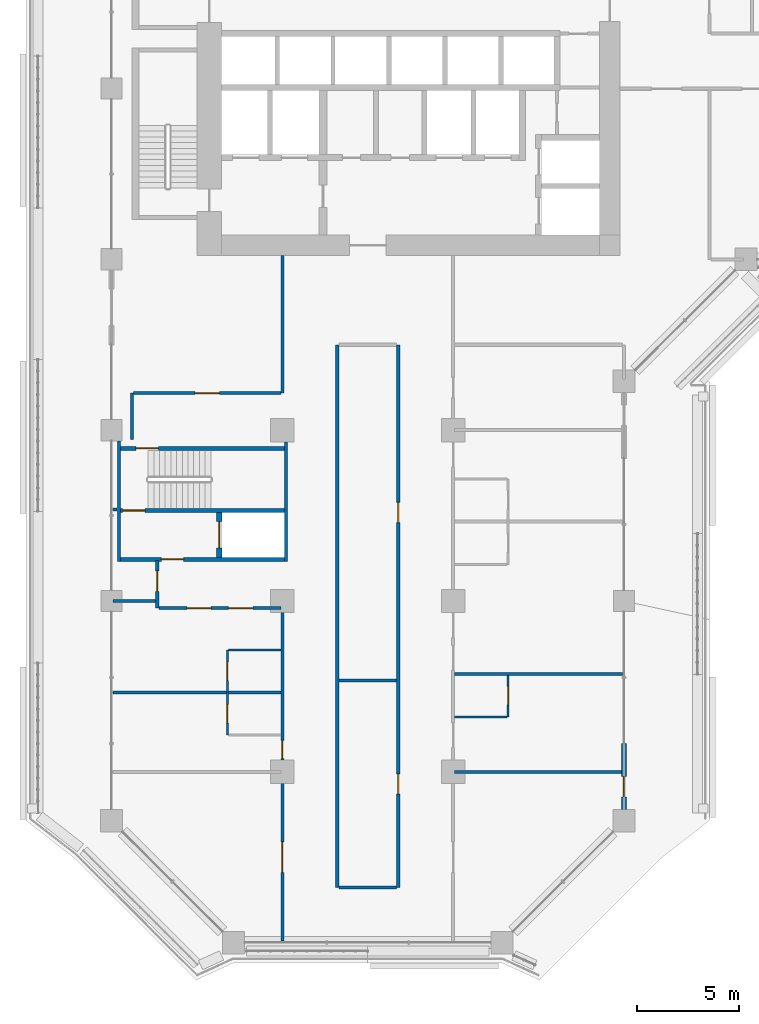
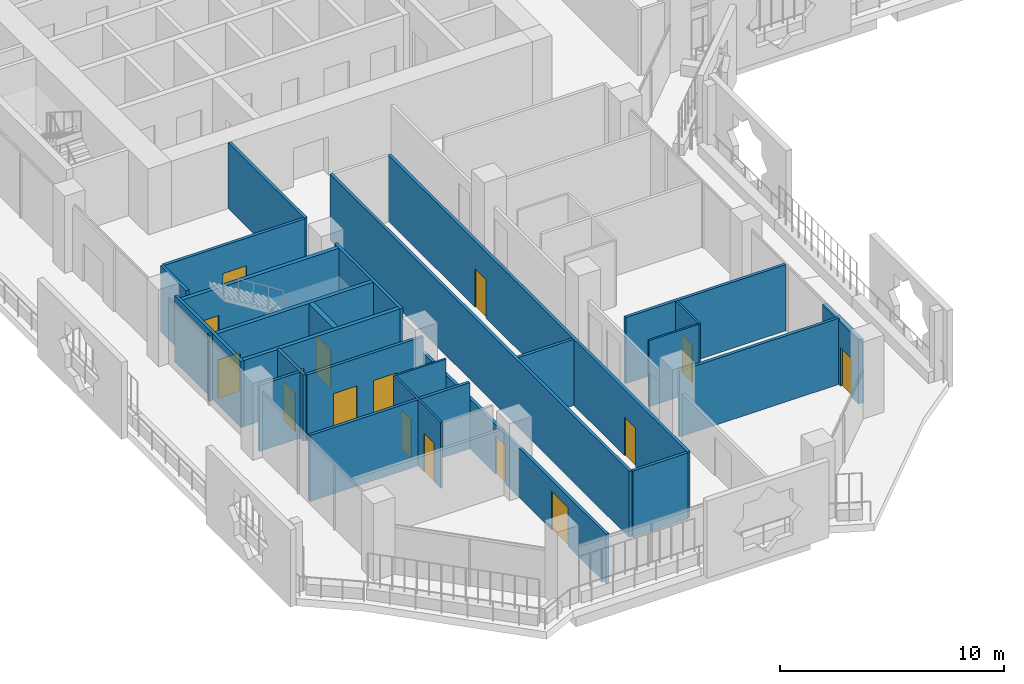
# One storey, part 12 of 25: 26 walls, 16 doors, 16 openings.
"""IFC4 building model written with IfcOpenShell, lengths in metres."""

from ifc_helpers import new_model, si_unit, direction, frame, frame_2d, origin, place, context, subcontext, project, spatial, rectangle, extrude, material, layer, layer_set, type_object, element, fill, save


model = new_model("IFC4")

# Units and contexts
model_context = context("Model", 3, precision=1e-05, world=origin(), true_north=direction((0.0, 1.0)))
body_context = subcontext(model_context, "Body", "Model", "MODEL_VIEW")
ifc_project = project(units=[si_unit("LENGTHUNIT", "METRE"), si_unit("AREAUNIT", "SQUARE_METRE"), si_unit("VOLUMEUNIT", "CUBIC_METRE"), si_unit("PLANEANGLEUNIT", "RADIAN"), si_unit("MASSUNIT", "GRAM", prefix="KILO")], contexts=[model_context])

# Site, building, storey
site_placement = place(None, origin())
site = spatial("IfcSite", under=ifc_project, at=site_placement, CompositionType="ELEMENT")
building_placement = place(site_placement, origin())
building = spatial("IfcBuilding", under=site, at=building_placement, Name="Kawkab Arch Medical Tower", CompositionType="ELEMENT")
storey_placement = place(building_placement, frame((0.0, 0.0, 132.39990234375)))
storey = spatial("IfcBuildingStorey", under=building, at=storey_placement, Name="L30", CompositionType="ELEMENT", Elevation=132.39990234375)

# Wall, opening, door
ifc_material_1 = material(Name="Concrete C60/75", Category="concrete")
ifc_layer_1 = layer(ifc_material_1, 0.25)
ifc_layer_set_1 = layer_set([ifc_layer_1], Name="Concrete C60/75")
wall_type_1 = type_object("IfcWallType", Name="Core shear wall 250 C60/75", PredefinedType="SHEAR", material=ifc_layer_set_1)
wall_1_placement = place(storey_placement, frame((5.300048828125, -39.85009765625, 0.0), z_axis=(0.0, 0.0, 1.0), x_axis=(0.0, 1.0, 0.0)))
wall_1 = element("IfcWall", 1, at=wall_1_placement, inside=storey, type_object=wall_type_1, Name="L30 core shear wall", PredefinedType="SHEAR", context=body_context, shape_type="SweptSolid", body=[
    extrude(rectangle(XDim=2.2001953125, YDim=0.25, at=frame_2d((1.10009765625, 0.0))), origin(), (0.0, 0.0, 1.0), 3.60009765625),
])
opening_1_placement = place(wall_1_placement, frame((0.449951171875, 0.0, 0.0)))
opening_1 = element("IfcOpeningElement", 2, at=opening_1_placement, cuts=wall_1, Name="Opening LD2", PredefinedType="OPENING", context=body_context, shape_type="SweptSolid", body=[
    extrude(rectangle(XDim=1.300048828125, YDim=2.10009765625, at=frame_2d((0.64990234375, 1.050048828125))), frame((0.0, 0.135009765625, 0.0), z_axis=(0.0, -1.0, 0.0), x_axis=(1.0, 0.0, 0.0)), (0.0, 0.0, 1.0), 0.27001953125),
])
ifc_material_2 = material(Name="Stainless steel lift door leaf", Category="steel")
door_type_1 = type_object("IfcDoorType", Name="Lift landing door 1300", OperationType="DOUBLE_DOOR_SLIDING", PredefinedType="DOOR", material=ifc_material_2)
door_1_placement = place(opening_1_placement, origin())
door_1 = element("IfcDoor", 3, at=door_1_placement, inside=storey, type_object=door_type_1, Name="L30 Lift landing door SV2", OperationType="DOUBLE_DOOR_SLIDING", OverallHeight=2.10009765625, OverallWidth=1.300048828125, PredefinedType="DOOR", context=body_context, shape_type="SweptSolid", body=[
    extrude(rectangle(XDim=1.300048828125, YDim=2.10009765625, at=frame_2d((0.64990234375, 1.050048828125))), frame((0.0, 0.02490234375, 0.0), z_axis=(0.0, -1.0, 0.0), x_axis=(1.0, 0.0, 0.0)), (0.0, 0.0, 1.0), 0.050048828125),
])
fill(opening_1, door_1)

ifc_material_3 = material(Name="Bronze clad insulated wall panel")
ifc_layer_2 = layer(ifc_material_3, 0.25)
ifc_layer_set_2 = layer_set([ifc_layer_2], Name="Bronze clad insulated wall panel")
wall_type_2 = type_object("IfcWallType", Name="External wall bay 250", PredefinedType="SOLIDWALL", material=ifc_layer_set_2)
wall_2_placement = place(storey_placement, frame((25.199951171875, -52.25, 0.0), z_axis=(0.0, 0.0, 1.0), x_axis=(0.0, 1.0, 0.0)))
wall_2 = element("IfcWall", 4, at=wall_2_placement, inside=storey, type_object=wall_type_2, Name="External wall bay L30.R05.1.1", PredefinedType="SOLIDWALL", context=body_context, shape_type="SweptSolid", body=[
    extrude(rectangle(XDim=3.24169921875, YDim=0.25, at=frame_2d((1.620849609375, 0.0))), origin(), (0.0, 0.0, 1.0), 3.47998046875),
])
opening_2_placement = place(wall_2_placement, frame((0.620849609375, 0.0, 0.0)))
opening_2 = element("IfcOpeningElement", 5, at=opening_2_placement, cuts=wall_2, Name="Opening W25-702", PredefinedType="OPENING", context=body_context, shape_type="SweptSolid", body=[
    extrude(rectangle(XDim=1.0, YDim=2.10009765625, at=frame_2d((0.5, 1.050048828125))), frame((0.0, 0.135009765625, 0.0), z_axis=(0.0, -1.0, 0.0), x_axis=(1.0, 0.0, 0.0)), (0.0, 0.0, 1.0), 0.27001953125),
])
ifc_material_4 = material(Name="Bronze anodised aluminium door with tinted glass", Category="aluminium")
door_type_2 = type_object("IfcDoorType", Name="Single external door 1000 x 2100", OperationType="SINGLE_SWING_LEFT", PredefinedType="DOOR", material=ifc_material_4)
door_2_placement = place(opening_2_placement, origin())
door_2 = element("IfcDoor", 6, at=door_2_placement, inside=storey, type_object=door_type_2, Name="External door L30.R05.1.1", OperationType="SINGLE_SWING_LEFT", OverallHeight=2.10009765625, OverallWidth=1.0, PredefinedType="DOOR", context=body_context, shape_type="SweptSolid", body=[
    extrude(rectangle(XDim=1.0, YDim=2.10009765625, at=frame_2d((0.5, 1.050048828125))), frame((0.0, 0.02490234375, 0.0), z_axis=(0.0, -1.0, 0.0), x_axis=(1.0, 0.0, 0.0)), (0.0, 0.0, 1.0), 0.050048828125),
])
fill(opening_2, door_2)

# Walls
ifc_material_5 = material(Name="Gypsum board partition on steel studs", Category="steel")
ifc_layer_3 = layer(ifc_material_5, 0.10009765625)
ifc_layer_set_3 = layer_set([ifc_layer_3], Name="Gypsum board partition on steel studs")
wall_type_3 = type_object("IfcWallType", Name="Partition 100", PredefinedType="PARTITIONING", material=ifc_layer_set_3)
for number, where, z_axis, x_axis, name in (
    (7, (16.875, -47.699951171875, 0.0), (0.0, 0.0, 1.0), (1.0, 0.0, 0.0), "Partition 100 w002"),
    (8, (5.75, -44.39990234375, 0.0), (0.0, 0.0, 1.0), (1.0, 0.0, 0.0), "Partition 100 w003"),
):
    element("IfcWall", number, at=place(storey_placement, frame(where, z_axis=z_axis, x_axis=x_axis)), inside=storey, type_object=wall_type_3, Name=name, PredefinedType="PARTITIONING", context=body_context, shape_type="SweptSolid", body=[
        extrude(rectangle(XDim=2.574951171875, YDim=0.10009765625, at=frame_2d((1.28759765625, 0.0))), origin(), (0.0, 0.0, 1.0), 3.60009765625),
    ])

# Wall, openings, doors
wall_3_placement = place(storey_placement, frame((5.699951171875, -48.60009765625, 0.0), z_axis=(0.0, 0.0, 1.0), x_axis=(0.0, 1.0, 0.0)))
wall_3 = element("IfcWall", 9, at=wall_3_placement, inside=storey, type_object=wall_type_3, Name="Partition 100 w015", PredefinedType="PARTITIONING", context=body_context, shape_type="SweptSolid", body=[
    extrude(rectangle(XDim=4.2001953125, YDim=0.10009765625, at=frame_2d((2.10009765625, 0.0))), origin(), (0.0, 0.0, 1.0), 3.60009765625),
])
opening_3_placement = place(wall_3_placement, frame((2.699951171875, 0.0, 0.0)))
opening_3 = element("IfcOpeningElement", 10, at=opening_3_placement, cuts=wall_3, Name="Opening W25-016", PredefinedType="OPENING", context=body_context, shape_type="SweptSolid", body=[
    extrude(rectangle(XDim=0.89990234375, YDim=2.10009765625, at=frame_2d((0.449951171875, 1.050048828125))), frame((0.0, 0.06005859375, 0.0), z_axis=(0.0, -1.0, 0.0), x_axis=(1.0, 0.0, 0.0)), (0.0, 0.0, 1.0), 0.1201171875),
])
opening_4_placement = place(wall_3_placement, frame((0.60009765625, 0.0, 0.0)))
opening_4 = element("IfcOpeningElement", 11, at=opening_4_placement, cuts=wall_3, Name="Opening W25-017", PredefinedType="OPENING", context=body_context, shape_type="SweptSolid", body=[
    extrude(rectangle(XDim=0.89990234375, YDim=2.10009765625, at=frame_2d((0.449951171875, 1.050048828125))), frame((0.0, 0.06005859375, 0.0), z_axis=(0.0, -1.0, 0.0), x_axis=(1.0, 0.0, 0.0)), (0.0, 0.0, 1.0), 0.1201171875),
])
ifc_material_6 = material(Name="Timber door leaf", Category="wood")
door_type_3 = type_object("IfcDoorType", Name="Single door 900x2100", OperationType="NOTDEFINED", PredefinedType="DOOR", material=ifc_material_6)
door_3_placement = place(opening_3_placement, origin())
door_3 = element("IfcDoor", 12, at=door_3_placement, inside=storey, type_object=door_type_3, Name="Door W25-016", OperationType="SINGLE_SWING_RIGHT", OverallHeight=2.10009765625, OverallWidth=0.89990234375, PredefinedType="DOOR", context=body_context, shape_type="SweptSolid", body=[
    extrude(rectangle(XDim=0.89990234375, YDim=2.10009765625, at=frame_2d((0.449951171875, 1.050048828125))), frame((0.0, 0.02490234375, 0.0), z_axis=(0.0, -1.0, 0.0), x_axis=(1.0, 0.0, 0.0)), (0.0, 0.0, 1.0), 0.050048828125),
])
fill(opening_3, door_3)
door_4_placement = place(opening_4_placement, origin())
door_4 = element("IfcDoor", 13, at=door_4_placement, inside=storey, type_object=door_type_3, Name="Door W25-017", OperationType="SINGLE_SWING_LEFT", OverallHeight=2.10009765625, OverallWidth=0.89990234375, PredefinedType="DOOR", context=body_context, shape_type="SweptSolid", body=[
    extrude(rectangle(XDim=0.89990234375, YDim=2.10009765625, at=frame_2d((0.449951171875, 1.050048828125))), frame((0.0, 0.02490234375, 0.0), z_axis=(0.0, -1.0, 0.0), x_axis=(1.0, 0.0, 0.0)), (0.0, 0.0, 1.0), 0.050048828125),
])
fill(opening_4, door_4)

# Wall, opening, door
wall_4_placement = place(storey_placement, frame((19.5, -47.699951171875, 0.0), z_axis=(0.0, 0.0, 1.0), x_axis=(0.0, 1.0, 0.0)))
wall_4 = element("IfcWall", 14, at=wall_4_placement, inside=storey, type_object=wall_type_3, Name="Partition 100 w016", PredefinedType="PARTITIONING", context=body_context, shape_type="SweptSolid", body=[
    extrude(rectangle(XDim=2.02490234375, YDim=0.10009765625, at=frame_2d((1.012451171875, 0.0))), origin(), (0.0, 0.0, 1.0), 3.60009765625),
])
opening_5_placement = place(wall_4_placement, frame((0.60009765625, 0.0, 0.0)))
opening_5 = element("IfcOpeningElement", 15, at=opening_5_placement, cuts=wall_4, Name="Opening W25-020", PredefinedType="OPENING", context=body_context, shape_type="SweptSolid", body=[
    extrude(rectangle(XDim=0.89990234375, YDim=2.10009765625, at=frame_2d((0.449951171875, 1.050048828125))), frame((0.0, 0.06005859375, 0.0), z_axis=(0.0, -1.0, 0.0), x_axis=(1.0, 0.0, 0.0)), (0.0, 0.0, 1.0), 0.1201171875),
])
door_5_placement = place(opening_5_placement, origin())
door_5 = element("IfcDoor", 16, at=door_5_placement, inside=storey, type_object=door_type_3, Name="Door W25-020", OperationType="SINGLE_SWING_LEFT", OverallHeight=2.10009765625, OverallWidth=0.89990234375, PredefinedType="DOOR", context=body_context, shape_type="SweptSolid", body=[
    extrude(rectangle(XDim=0.89990234375, YDim=2.10009765625, at=frame_2d((0.449951171875, 1.050048828125))), frame((0.0, 0.02490234375, 0.0), z_axis=(0.0, -1.0, 0.0), x_axis=(1.0, 0.0, 0.0)), (0.0, 0.0, 1.0), 0.050048828125),
])
fill(opening_5, door_5)

# Walls
ifc_material_7 = material(Name="Gypsum board partition on steel studs, mineral wool", Category="steel")
ifc_layer_4 = layer(ifc_material_7, 0.14990234375)
ifc_layer_set_4 = layer_set([ifc_layer_4], Name="Gypsum board partition on steel studs, mineral wool")
wall_type_4 = type_object("IfcWallType", Name="Partition 150", PredefinedType="PARTITIONING", material=ifc_layer_set_4)
wall_5_placement = place(storey_placement, frame((11.175048828125, -56.10009765625, 0.0), z_axis=(0.0, 0.0, 1.0), x_axis=(1.0, 0.0, 0.0)))
element("IfcWall", 17, at=wall_5_placement, inside=storey, type_object=wall_type_4, Name="Partition 150 w028", PredefinedType="PARTITIONING", context=body_context, shape_type="SweptSolid", body=[
    extrude(rectangle(XDim=2.849853515625, YDim=0.14990234375, at=frame_2d((1.4248046875, 0.0))), origin(), (0.0, 0.0, 1.0), 3.60009765625),
])
wall_6_placement = place(storey_placement, frame((16.875, -50.39990234375, 0.0), z_axis=(0.0, 0.0, 1.0), x_axis=(1.0, 0.0, 0.0)))
element("IfcWall", 18, at=wall_6_placement, inside=storey, type_object=wall_type_4, Name="Partition 150 w030", PredefinedType="PARTITIONING", context=body_context, shape_type="SweptSolid", body=[
    extrude(rectangle(XDim=8.2451171875, YDim=0.14990234375, at=frame_2d((4.12255859375, 0.0))), origin(), (0.0, 0.0, 1.0), 3.60009765625),
])
wall_7_placement = place(storey_placement, frame((0.080078125, -46.5, 0.0), z_axis=(0.0, 0.0, 1.0), x_axis=(1.0, 0.0, 0.0)))
element("IfcWall", 19, at=wall_7_placement, inside=storey, type_object=wall_type_4, Name="Partition 150 w031", PredefinedType="PARTITIONING", context=body_context, shape_type="SweptSolid", body=[
    extrude(rectangle(XDim=8.244873046875, YDim=0.14990234375, at=frame_2d((4.12255859375, 0.0))), origin(), (0.0, 0.0, 1.0), 3.60009765625),
])
wall_8_placement = place(storey_placement, frame((11.175048828125, -45.89990234375, 0.0), z_axis=(0.0, 0.0, 1.0), x_axis=(1.0, 0.0, 0.0)))
element("IfcWall", 20, at=wall_8_placement, inside=storey, type_object=wall_type_4, Name="Partition 150 w032", PredefinedType="PARTITIONING", context=body_context, shape_type="SweptSolid", body=[
    extrude(rectangle(XDim=2.849853515625, YDim=0.14990234375, at=frame_2d((1.4248046875, 0.0))), origin(), (0.0, 0.0, 1.0), 3.60009765625),
])
wall_9_placement = place(storey_placement, frame((16.875, -45.60009765625, 0.0), z_axis=(0.0, 0.0, 1.0), x_axis=(1.0, 0.0, 0.0)))
element("IfcWall", 21, at=wall_9_placement, inside=storey, type_object=wall_type_4, Name="Partition 150 w033", PredefinedType="PARTITIONING", context=body_context, shape_type="SweptSolid", body=[
    extrude(rectangle(XDim=8.2451171875, YDim=0.14990234375, at=frame_2d((4.12255859375, 0.0))), origin(), (0.0, 0.0, 1.0), 3.60009765625),
])

# Wall, openings, doors
wall_10_placement = place(storey_placement, frame((2.324951171875, -42.35009765625, 0.0), z_axis=(0.0, 0.0, 1.0), x_axis=(1.0, 0.0, 0.0)))
wall_10 = element("IfcWall", 22, at=wall_10_placement, inside=storey, type_object=wall_type_4, Name="Partition 150 w034", PredefinedType="PARTITIONING", context=body_context, shape_type="SweptSolid", body=[
    extrude(rectangle(XDim=6.0, YDim=0.14990234375, at=frame_2d((3.0, 0.0))), origin(), (0.0, 0.0, 1.0), 3.60009765625),
])
opening_6_placement = place(wall_10_placement, frame((3.425048828125, 0.0, 0.0)))
opening_6 = element("IfcOpeningElement", 23, at=opening_6_placement, cuts=wall_10, Name="Opening W25-052", PredefinedType="OPENING", context=body_context, shape_type="SweptSolid", body=[
    extrude(rectangle(XDim=1.199951171875, YDim=2.10009765625, at=frame_2d((0.60009765625, 1.050048828125))), frame((0.0, 0.0849609375, 0.0), z_axis=(0.0, -1.0, 0.0), x_axis=(1.0, 0.0, 0.0)), (0.0, 0.0, 1.0), 0.169921875),
])
opening_7_placement = place(wall_10_placement, frame((1.375, 0.0, 0.0)))
opening_7 = element("IfcOpeningElement", 24, at=opening_7_placement, cuts=wall_10, Name="Opening W25-053", PredefinedType="OPENING", context=body_context, shape_type="SweptSolid", body=[
    extrude(rectangle(XDim=1.199951171875, YDim=2.10009765625, at=frame_2d((0.60009765625, 1.050048828125))), frame((0.0, 0.0849609375, 0.0), z_axis=(0.0, -1.0, 0.0), x_axis=(1.0, 0.0, 0.0)), (0.0, 0.0, 1.0), 0.169921875),
])
ifc_material_8 = material(Name="Hollow metal door leaf")
door_type_4 = type_object("IfcDoorType", Name="Single door 1200x2100 FD30S", OperationType="NOTDEFINED", PredefinedType="DOOR", material=ifc_material_8)
door_6_placement = place(opening_6_placement, origin())
door_6 = element("IfcDoor", 25, at=door_6_placement, inside=storey, type_object=door_type_4, Name="Door W25-052", OperationType="SINGLE_SWING_LEFT", OverallHeight=2.10009765625, OverallWidth=1.199951171875, PredefinedType="DOOR", context=body_context, shape_type="SweptSolid", body=[
    extrude(rectangle(XDim=1.199951171875, YDim=2.10009765625, at=frame_2d((0.60009765625, 1.050048828125))), frame((0.0, 0.02490234375, 0.0), z_axis=(0.0, -1.0, 0.0), x_axis=(1.0, 0.0, 0.0)), (0.0, 0.0, 1.0), 0.050048828125),
])
fill(opening_6, door_6)
door_7_placement = place(opening_7_placement, origin())
door_7 = element("IfcDoor", 26, at=door_7_placement, inside=storey, type_object=door_type_4, Name="Door W25-053", OperationType="SINGLE_SWING_RIGHT", OverallHeight=2.10009765625, OverallWidth=1.199951171875, PredefinedType="DOOR", context=body_context, shape_type="SweptSolid", body=[
    extrude(rectangle(XDim=1.199951171875, YDim=2.10009765625, at=frame_2d((0.60009765625, 1.050048828125))), frame((0.0, 0.02490234375, 0.0), z_axis=(0.0, -1.0, 0.0), x_axis=(1.0, 0.0, 0.0)), (0.0, 0.0, 1.0), 0.050048828125),
])
fill(opening_7, door_7)

# Walls
wall_11_placement = place(storey_placement, frame((0.080078125, -42.0, 0.0), z_axis=(0.0, 0.0, 1.0), x_axis=(1.0, 0.0, 0.0)))
element("IfcWall", 27, at=wall_11_placement, inside=storey, type_object=wall_type_4, Name="Partition 150 w035", PredefinedType="PARTITIONING", context=body_context, shape_type="SweptSolid", body=[
    extrude(rectangle(XDim=2.094970703125, YDim=0.14990234375, at=frame_2d((1.04736328125, 0.0))), origin(), (0.0, 0.0, 1.0), 3.60009765625),
])
wall_12_placement = place(storey_placement, frame((0.080078125, -37.5, 0.0), z_axis=(0.0, 0.0, 1.0), x_axis=(1.0, 0.0, 0.0)))
element("IfcWall", 28, at=wall_12_placement, inside=storey, type_object=wall_type_4, Name="Partition 150 w037", PredefinedType="PARTITIONING", context=body_context, shape_type="SweptSolid", body=[
    extrude(rectangle(XDim=0.18994140625, YDim=0.14990234375, at=frame_2d((0.094970703125, 0.0))), origin(), (0.0, 0.0, 1.0), 3.60009765625),
])

# Wall, opening, door
wall_13_placement = place(storey_placement, frame((1.075927734375, -31.781982421875, 0.0), z_axis=(0.0, 0.0, 1.0), x_axis=(1.0, 0.0, 0.0)))
wall_13 = element("IfcWall", 29, at=wall_13_placement, inside=storey, type_object=wall_type_4, Name="Partition 150 w039", PredefinedType="PARTITIONING", context=body_context, shape_type="SweptSolid", body=[
    extrude(rectangle(XDim=7.2490234375, YDim=0.14990234375, at=frame_2d((3.62451171875, 0.0))), origin(), (0.0, 0.0, 1.0), 3.60009765625),
])
opening_8_placement = place(wall_13_placement, frame((3.02490234375, 0.0, 0.0)))
opening_8 = element("IfcOpeningElement", 30, at=opening_8_placement, cuts=wall_13, Name="Opening W25-051", PredefinedType="OPENING", context=body_context, shape_type="SweptSolid", body=[
    extrude(rectangle(XDim=1.199951171875, YDim=2.10009765625, at=frame_2d((0.60009765625, 1.050048828125))), frame((0.0, 0.0849609375, 0.0), z_axis=(0.0, -1.0, 0.0), x_axis=(1.0, 0.0, 0.0)), (0.0, 0.0, 1.0), 0.169921875),
])
door_8_placement = place(opening_8_placement, origin())
door_8 = element("IfcDoor", 31, at=door_8_placement, inside=storey, type_object=door_type_4, Name="Door W25-051", OperationType="SINGLE_SWING_LEFT", OverallHeight=2.10009765625, OverallWidth=1.199951171875, PredefinedType="DOOR", context=body_context, shape_type="SweptSolid", body=[
    extrude(rectangle(XDim=1.199951171875, YDim=2.10009765625, at=frame_2d((0.60009765625, 1.050048828125))), frame((0.0, 0.02490234375, 0.0), z_axis=(0.0, -1.0, 0.0), x_axis=(1.0, 0.0, 0.0)), (0.0, 0.0, 1.0), 0.050048828125),
])
fill(opening_8, door_8)

# Wall
wall_14_placement = place(storey_placement, frame((1.0, -34.048095703125, 0.0), z_axis=(0.0, 0.0, 1.0), x_axis=(0.0, 1.0, 0.0)))
element("IfcWall", 32, at=wall_14_placement, inside=storey, type_object=wall_type_4, Name="Partition 150 w054", PredefinedType="PARTITIONING", context=body_context, shape_type="SweptSolid", body=[
    extrude(rectangle(XDim=2.26416015625, YDim=0.14990234375, at=frame_2d((1.132080078125, 0.0))), origin(), (0.0, 0.0, 1.0), 3.60009765625),
])

# Wall, opening, door
wall_15_placement = place(storey_placement, frame((2.25, -42.35009765625, 0.0), z_axis=(0.0, 0.0, 1.0), x_axis=(0.0, 1.0, 0.0)))
wall_15 = element("IfcWall", 33, at=wall_15_placement, inside=storey, type_object=wall_type_4, Name="Partition 150 w055", PredefinedType="PARTITIONING", context=body_context, shape_type="SweptSolid", body=[
    extrude(rectangle(XDim=2.35009765625, YDim=0.14990234375, at=frame_2d((1.175048828125, 0.0))), origin(), (0.0, 0.0, 1.0), 3.60009765625),
])
opening_9_placement = place(wall_15_placement, frame((0.824951171875, 0.0, 0.0)))
opening_9 = element("IfcOpeningElement", 34, at=opening_9_placement, cuts=wall_15, Name="Opening W25-033", PredefinedType="OPENING", context=body_context, shape_type="SweptSolid", body=[
    extrude(rectangle(XDim=1.0, YDim=2.10009765625, at=frame_2d((0.5, 1.050048828125))), frame((0.0, 0.0849609375, 0.0), z_axis=(0.0, -1.0, 0.0), x_axis=(1.0, 0.0, 0.0)), (0.0, 0.0, 1.0), 0.169921875),
])
ifc_material_9 = material(Name="Hollow metal door leaf")
door_type_5 = type_object("IfcDoorType", Name="Single door 1000x2100 FD30S", OperationType="NOTDEFINED", PredefinedType="DOOR", material=ifc_material_9)
door_9_placement = place(opening_9_placement, origin())
door_9 = element("IfcDoor", 35, at=door_9_placement, inside=storey, type_object=door_type_5, Name="Door W25-033", OperationType="SINGLE_SWING_RIGHT", OverallHeight=2.10009765625, OverallWidth=1.0, PredefinedType="DOOR", context=body_context, shape_type="SweptSolid", body=[
    extrude(rectangle(XDim=1.0, YDim=2.10009765625, at=frame_2d((0.5, 1.050048828125))), frame((0.0, 0.02490234375, 0.0), z_axis=(0.0, -1.0, 0.0), x_axis=(1.0, 0.0, 0.0)), (0.0, 0.0, 1.0), 0.050048828125),
])
fill(opening_9, door_9)

# Wall, openings, doors
wall_16_placement = place(storey_placement, frame((8.39990234375, -58.719970703125, 0.0), z_axis=(0.0, 0.0, 1.0), x_axis=(0.0, 1.0, 0.0)))
wall_16 = element("IfcWall", 36, at=wall_16_placement, inside=storey, type_object=wall_type_4, Name="Partition 150 w056", PredefinedType="PARTITIONING", context=body_context, shape_type="SweptSolid", body=[
    extrude(rectangle(XDim=16.369873046875, YDim=0.14990234375, at=frame_2d((8.18505859375, 0.0))), origin(), (0.0, 0.0, 1.0), 2.7001953125),
])
opening_10_placement = place(wall_16_placement, frame((8.969970703125, 0.0, 0.0)))
opening_10 = element("IfcOpeningElement", 37, at=opening_10_placement, cuts=wall_16, Name="Opening W25-022", PredefinedType="OPENING", context=body_context, shape_type="SweptSolid", body=[
    extrude(rectangle(XDim=0.89990234375, YDim=2.10009765625, at=frame_2d((0.449951171875, 1.050048828125))), frame((0.0, 0.0849609375, 0.0), z_axis=(0.0, -1.0, 0.0), x_axis=(1.0, 0.0, 0.0)), (0.0, 0.0, 1.0), 0.169921875),
])
opening_11_placement = place(wall_16_placement, frame((3.3701171875, 0.0, 0.0)))
opening_11 = element("IfcOpeningElement", 38, at=opening_11_placement, cuts=wall_16, Name="Opening W25-003", PredefinedType="OPENING", context=body_context, shape_type="SweptSolid", body=[
    extrude(rectangle(XDim=1.5, YDim=2.10009765625, at=frame_2d((0.75, 1.050048828125))), frame((0.0, 0.0849609375, 0.0), z_axis=(0.0, -1.0, 0.0), x_axis=(1.0, 0.0, 0.0)), (0.0, 0.0, 1.0), 0.169921875),
])
ifc_material_10 = material(Name="Hollow metal door leaf")
door_type_6 = type_object("IfcDoorType", Name="Double door 1500x2100 FD30S", OperationType="NOTDEFINED", PredefinedType="DOOR", material=ifc_material_10)
door_10_placement = place(opening_11_placement, origin())
door_10 = element("IfcDoor", 39, at=door_10_placement, inside=storey, type_object=door_type_6, Name="Door W25-003", OperationType="DOUBLE_DOOR_SINGLE_SWING", OverallHeight=2.10009765625, OverallWidth=1.5, PredefinedType="DOOR", context=body_context, shape_type="SweptSolid", body=[
    extrude(rectangle(XDim=1.5, YDim=2.10009765625, at=frame_2d((0.75, 1.050048828125))), frame((0.0, 0.02490234375, 0.0), z_axis=(0.0, -1.0, 0.0), x_axis=(1.0, 0.0, 0.0)), (0.0, 0.0, 1.0), 0.050048828125),
])
fill(opening_11, door_10)
ifc_material_11 = material(Name="Hollow metal door leaf")
door_type_7 = type_object("IfcDoorType", Name="Single door 900x2100 FD30S", OperationType="NOTDEFINED", PredefinedType="DOOR", material=ifc_material_11)
door_11_placement = place(opening_10_placement, origin())
door_11 = element("IfcDoor", 40, at=door_11_placement, inside=storey, type_object=door_type_7, Name="Door W25-022", OperationType="SINGLE_SWING_RIGHT", OverallHeight=2.10009765625, OverallWidth=0.89990234375, PredefinedType="DOOR", context=body_context, shape_type="SweptSolid", body=[
    extrude(rectangle(XDim=0.89990234375, YDim=2.10009765625, at=frame_2d((0.449951171875, 1.050048828125))), frame((0.0, 0.02490234375, 0.0), z_axis=(0.0, -1.0, 0.0), x_axis=(1.0, 0.0, 0.0)), (0.0, 0.0, 1.0), 0.050048828125),
])
fill(opening_10, door_11)

# Walls
wall_17_placement = place(storey_placement, frame((8.39990234375, -31.781982421875, 0.0), z_axis=(0.0, 0.0, 1.0), x_axis=(0.0, 1.0, 0.0)))
element("IfcWall", 41, at=wall_17_placement, inside=storey, type_object=wall_type_4, Name="Partition 150 w057", PredefinedType="PARTITIONING", context=body_context, shape_type="SweptSolid", body=[
    extrude(rectangle(XDim=6.781982421875, YDim=0.14990234375, at=frame_2d((3.39111328125, 0.0))), origin(), (0.0, 0.0, 1.0), 3.60009765625),
])
wall_18_placement = place(storey_placement, frame((11.10009765625, -56.10009765625, 0.0), z_axis=(0.0, 0.0, 1.0), x_axis=(0.0, 1.0, 0.0)))
element("IfcWall", 42, at=wall_18_placement, inside=storey, type_object=wall_type_4, Name="Partition 150 w058", PredefinedType="PARTITIONING", context=body_context, shape_type="SweptSolid", body=[
    extrude(rectangle(XDim=26.7001953125, YDim=0.14990234375, at=frame_2d((13.35009765625, 0.0))), origin(), (0.0, 0.0, 1.0), 3.60009765625),
])

# Wall, openings, doors
wall_19_placement = place(storey_placement, frame((14.10009765625, -56.10009765625, 0.0), z_axis=(0.0, 0.0, 1.0), x_axis=(0.0, 1.0, 0.0)))
wall_19 = element("IfcWall", 43, at=wall_19_placement, inside=storey, type_object=wall_type_4, Name="Partition 150 w059", PredefinedType="PARTITIONING", context=body_context, shape_type="SweptSolid", body=[
    extrude(rectangle(XDim=26.7001953125, YDim=0.14990234375, at=frame_2d((13.35009765625, 0.0))), origin(), (0.0, 0.0, 1.0), 3.60009765625),
])
opening_12_placement = place(wall_19_placement, frame((17.949951171875, 0.0, 0.0)))
opening_12 = element("IfcOpeningElement", 44, at=opening_12_placement, cuts=wall_19, Name="Opening W25-034", PredefinedType="OPENING", context=body_context, shape_type="SweptSolid", body=[
    extrude(rectangle(XDim=1.0, YDim=2.10009765625, at=frame_2d((0.5, 1.050048828125))), frame((0.0, 0.0849609375, 0.0), z_axis=(0.0, -1.0, 0.0), x_axis=(1.0, 0.0, 0.0)), (0.0, 0.0, 1.0), 0.169921875),
])
opening_13_placement = place(wall_19_placement, frame((4.60009765625, 0.0, 0.0)))
opening_13 = element("IfcOpeningElement", 45, at=opening_13_placement, cuts=wall_19, Name="Opening W25-035", PredefinedType="OPENING", context=body_context, shape_type="SweptSolid", body=[
    extrude(rectangle(XDim=1.0, YDim=2.10009765625, at=frame_2d((0.5, 1.050048828125))), frame((0.0, 0.0849609375, 0.0), z_axis=(0.0, -1.0, 0.0), x_axis=(1.0, 0.0, 0.0)), (0.0, 0.0, 1.0), 0.169921875),
])
door_12_placement = place(opening_12_placement, origin())
door_12 = element("IfcDoor", 46, at=door_12_placement, inside=storey, type_object=door_type_5, Name="Door W25-034", OperationType="SINGLE_SWING_RIGHT", OverallHeight=2.10009765625, OverallWidth=1.0, PredefinedType="DOOR", context=body_context, shape_type="SweptSolid", body=[
    extrude(rectangle(XDim=1.0, YDim=2.10009765625, at=frame_2d((0.5, 1.050048828125))), frame((0.0, 0.02490234375, 0.0), z_axis=(0.0, -1.0, 0.0), x_axis=(1.0, 0.0, 0.0)), (0.0, 0.0, 1.0), 0.050048828125),
])
fill(opening_12, door_12)
door_13_placement = place(opening_13_placement, origin())
door_13 = element("IfcDoor", 47, at=door_13_placement, inside=storey, type_object=door_type_5, Name="Door W25-035", OperationType="SINGLE_SWING_LEFT", OverallHeight=2.10009765625, OverallWidth=1.0, PredefinedType="DOOR", context=body_context, shape_type="SweptSolid", body=[
    extrude(rectangle(XDim=1.0, YDim=2.10009765625, at=frame_2d((0.5, 1.050048828125))), frame((0.0, 0.02490234375, 0.0), z_axis=(0.0, -1.0, 0.0), x_axis=(1.0, 0.0, 0.0)), (0.0, 0.0, 1.0), 0.050048828125),
])
fill(opening_13, door_13)

# Walls
ifc_material_12 = material(Name="Concrete C50/60", Category="concrete")
ifc_layer_5 = layer(ifc_material_12, 0.14990234375)
ifc_layer_set_5 = layer_set([ifc_layer_5], Name="Concrete C50/60")
wall_type_5 = type_object("IfcWallType", Name="Stair enclosure wall 150 C50/60", PredefinedType="SHEAR", material=ifc_layer_set_5)
wall_20_placement = place(storey_placement, frame((0.375, -40.050048828125, 0.0), z_axis=(0.0, 0.0, 1.0), x_axis=(0.0, 1.0, 0.0)))
element("IfcWall", 48, at=wall_20_placement, inside=storey, type_object=wall_type_5, Name="L30 stair enclosure wall", PredefinedType="SHEAR", context=body_context, shape_type="SweptSolid", body=[
    extrude(rectangle(XDim=5.925048828125, YDim=0.14990234375, at=frame_2d((2.96240234375, 0.0))), origin(), (0.0, 0.0, 1.0), 3.60009765625),
])
wall_21_placement = place(storey_placement, frame((8.574951171875, -40.050048828125, 0.0), z_axis=(0.0, 0.0, 1.0), x_axis=(0.0, 1.0, 0.0)))
element("IfcWall", 49, at=wall_21_placement, inside=storey, type_object=wall_type_5, Name="L30 stair enclosure wall", PredefinedType="SHEAR", context=body_context, shape_type="SweptSolid", body=[
    extrude(rectangle(XDim=5.875, YDim=0.14990234375, at=frame_2d((2.9375, 0.0))), origin(), (0.0, 0.0, 1.0), 3.60009765625),
])

# Wall, opening, door
ifc_material_13 = material(Name="Concrete C50/60", Category="concrete")
ifc_layer_6 = layer(ifc_material_13, 0.199951171875)
ifc_layer_set_6 = layer_set([ifc_layer_6], Name="Concrete C50/60")
wall_type_6 = type_object("IfcWallType", Name="Stair enclosure wall 200 C50/60", PredefinedType="SHEAR", material=ifc_layer_set_6)
wall_22_placement = place(storey_placement, frame((0.449951171875, -34.5, 0.0), z_axis=(0.0, 0.0, 1.0), x_axis=(1.0, 0.0, 0.0)))
wall_22 = element("IfcWall", 50, at=wall_22_placement, inside=storey, type_object=wall_type_6, Name="L30 stair enclosure wall", PredefinedType="SHEAR", context=body_context, shape_type="SweptSolid", body=[
    extrude(rectangle(XDim=8.050048828125, YDim=0.199951171875, at=frame_2d((4.02490234375, 0.0))), origin(), (0.0, 0.0, 1.0), 3.60009765625),
])
opening_14_placement = place(wall_22_placement, frame((0.75, 0.0, 0.0)))
opening_14 = element("IfcOpeningElement", 51, at=opening_14_placement, cuts=wall_22, Name="Opening SD", PredefinedType="OPENING", context=body_context, shape_type="SweptSolid", body=[
    extrude(rectangle(XDim=1.10009765625, YDim=2.10009765625, at=frame_2d((0.550048828125, 1.050048828125))), frame((0.0, 0.10986328125, 0.0), z_axis=(0.0, -1.0, 0.0), x_axis=(1.0, 0.0, 0.0)), (0.0, 0.0, 1.0), 0.219970703125),
])
ifc_material_14 = material(Name="Hollow metal fire door leaf")
door_type_8 = type_object("IfcDoorType", Name="Exit stair door 1100", OperationType="SINGLE_SWING_LEFT", PredefinedType="DOOR", material=ifc_material_14)
door_14_placement = place(opening_14_placement, origin())
door_14 = element("IfcDoor", 52, at=door_14_placement, inside=storey, type_object=door_type_8, Name="L30 Exit stair ST6 door", OperationType="SINGLE_SWING_LEFT", OverallHeight=2.10009765625, OverallWidth=1.10009765625, PredefinedType="DOOR", context=body_context, shape_type="SweptSolid", body=[
    extrude(rectangle(XDim=1.10009765625, YDim=2.10009765625, at=frame_2d((0.550048828125, 1.050048828125))), frame((0.0, 0.02490234375, 0.0), z_axis=(0.0, -1.0, 0.0), x_axis=(1.0, 0.0, 0.0)), (0.0, 0.0, 1.0), 0.050048828125),
])
fill(opening_14, door_14)

wall_23_placement = place(storey_placement, frame((0.449951171875, -37.550048828125, 0.0), z_axis=(0.0, 0.0, 1.0), x_axis=(1.0, 0.0, 0.0)))
wall_23 = element("IfcWall", 53, at=wall_23_placement, inside=storey, type_object=wall_type_6, Name="L30 stair enclosure wall", PredefinedType="SHEAR", context=body_context, shape_type="SweptSolid", body=[
    extrude(rectangle(XDim=8.050048828125, YDim=0.199951171875, at=frame_2d((4.02490234375, 0.0))), origin(), (0.0, 0.0, 1.0), 3.60009765625),
])
opening_15_placement = place(wall_23_placement, frame((0.10009765625, 0.0, 0.0)))
opening_15 = element("IfcOpeningElement", 54, at=opening_15_placement, cuts=wall_23, Name="Opening SD", PredefinedType="OPENING", context=body_context, shape_type="SweptSolid", body=[
    extrude(rectangle(XDim=1.10009765625, YDim=2.10009765625, at=frame_2d((0.550048828125, 1.050048828125))), frame((0.0, 0.10986328125, 0.0), z_axis=(0.0, -1.0, 0.0), x_axis=(1.0, 0.0, 0.0)), (0.0, 0.0, 1.0), 0.219970703125),
])
door_15_placement = place(opening_15_placement, frame((1.10009765625, 0.0, 0.0), z_axis=(0.0, 0.0, 1.0), x_axis=(-1.0, 0.0, 0.0)))
door_15 = element("IfcDoor", 55, at=door_15_placement, inside=storey, type_object=door_type_8, Name="L30 Exit stair ST6 lobby door", OperationType="SINGLE_SWING_LEFT", OverallHeight=2.10009765625, OverallWidth=1.10009765625, PredefinedType="DOOR", context=body_context, shape_type="SweptSolid", body=[
    extrude(rectangle(XDim=1.10009765625, YDim=2.10009765625, at=frame_2d((0.550048828125, 1.050048828125))), frame((0.0, 0.02490234375, 0.0), z_axis=(0.0, -1.0, 0.0), x_axis=(1.0, 0.0, 0.0)), (0.0, 0.0, 1.0), 0.050048828125),
])
fill(opening_15, door_15)

wall_24_placement = place(storey_placement, frame((0.449951171875, -39.949951171875, 0.0), z_axis=(0.0, 0.0, 1.0), x_axis=(1.0, 0.0, 0.0)))
wall_24 = element("IfcWall", 56, at=wall_24_placement, inside=storey, type_object=wall_type_6, Name="L30 stair enclosure wall", PredefinedType="SHEAR", context=body_context, shape_type="SweptSolid", body=[
    extrude(rectangle(XDim=8.050048828125, YDim=0.199951171875, at=frame_2d((4.02490234375, 0.0))), origin(), (0.0, 0.0, 1.0), 3.60009765625),
])
opening_16_placement = place(wall_24_placement, frame((2.0, 0.0, 0.0)))
opening_16 = element("IfcOpeningElement", 57, at=opening_16_placement, cuts=wall_24, Name="Opening FD", PredefinedType="OPENING", context=body_context, shape_type="SweptSolid", body=[
    extrude(rectangle(XDim=1.10009765625, YDim=2.10009765625, at=frame_2d((0.550048828125, 1.050048828125))), frame((0.0, 0.10986328125, 0.0), z_axis=(0.0, -1.0, 0.0), x_axis=(1.0, 0.0, 0.0)), (0.0, 0.0, 1.0), 0.219970703125),
])
ifc_material_15 = material(Name="Hollow metal fire door leaf")
door_type_9 = type_object("IfcDoorType", Name="Firefighting lobby door 1100", OperationType="SINGLE_SWING_LEFT", PredefinedType="DOOR", material=ifc_material_15)
door_16_placement = place(opening_16_placement, origin())
door_16 = element("IfcDoor", 58, at=door_16_placement, inside=storey, type_object=door_type_9, Name="L30 Service lift lobby door SV2", OperationType="SINGLE_SWING_LEFT", OverallHeight=2.10009765625, OverallWidth=1.10009765625, PredefinedType="DOOR", context=body_context, shape_type="SweptSolid", body=[
    extrude(rectangle(XDim=1.10009765625, YDim=2.10009765625, at=frame_2d((0.550048828125, 1.050048828125))), frame((0.0, 0.02490234375, 0.0), z_axis=(0.0, -1.0, 0.0), x_axis=(1.0, 0.0, 0.0)), (0.0, 0.0, 1.0), 0.050048828125),
])
fill(opening_16, door_16)

save(model, "model.ifc")
